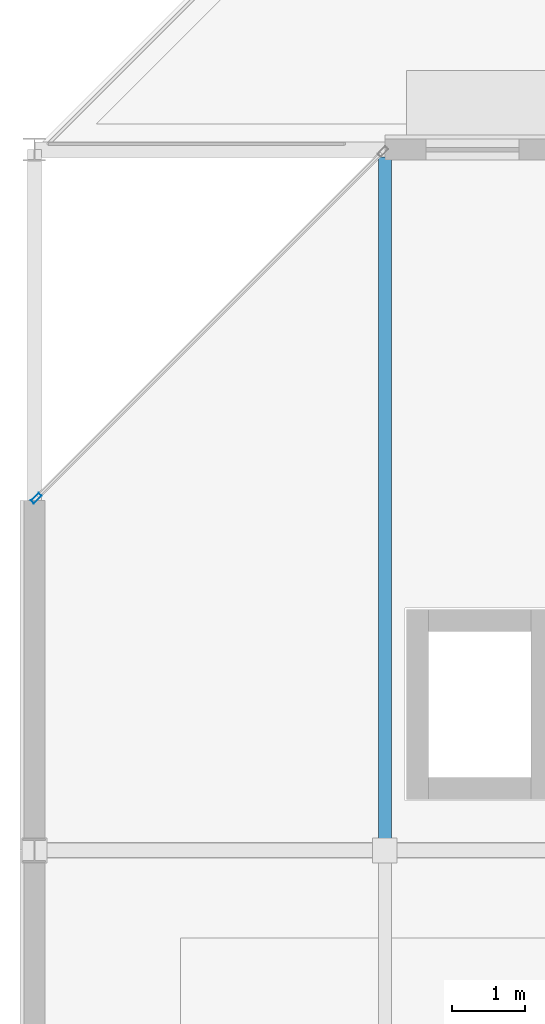
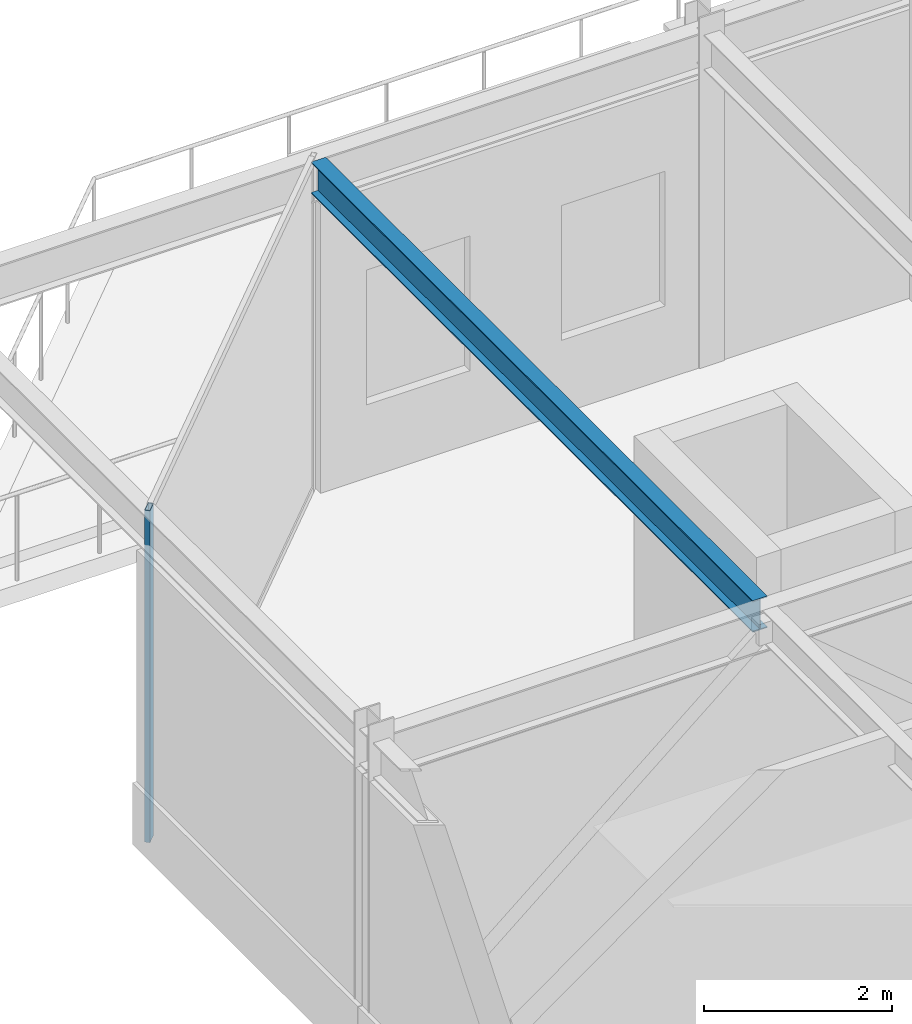
# One storey, part 13 of 50: 1 beam, 1 member, 1 element without a shape of its own.
"""IFC4 building model written with IfcOpenShell, lengths in metres."""

from ifc_helpers import new_model, si_unit, direction, frame, origin, origin_2d, place, context, subcontext, project, spatial, hollow_rectangle, i_section, extrude, material, material_profile, profile_set, type_object, element, aggregate, save


model = new_model("IFC4")

# Units and contexts
model_context = context("Model", 3, precision=1e-05, world=origin(), true_north=direction((0.0, 1.0)))
body_context = subcontext(model_context, "Body", "Model", "MODEL_VIEW")
ifc_project = project(units=[si_unit("LENGTHUNIT", "METRE"), si_unit("AREAUNIT", "SQUARE_METRE"), si_unit("VOLUMEUNIT", "CUBIC_METRE"), si_unit("PLANEANGLEUNIT", "RADIAN"), si_unit("MASSUNIT", "GRAM", prefix="KILO")], contexts=[model_context])

# Site, building, storey
site_placement = place(None, origin())
site = spatial("IfcSite", under=ifc_project, at=site_placement, CompositionType="ELEMENT")
building_placement = place(site_placement, origin())
building = spatial("IfcBuilding", under=site, at=building_placement, Name="Almandine Court Research Institute", CompositionType="ELEMENT")
storey_placement = place(building_placement, frame((0.0, 0.0, 23.449951171875)))
storey = spatial("IfcBuildingStorey", under=building, at=storey_placement, Name="L05", CompositionType="ELEMENT", Elevation=23.449951171875)

# Beam
ifc_material_1 = material(Name="Steel ASTM A992 Grade 50", Category="steel")
ifc_material_profile_1 = material_profile(ifc_material_1, i_section(OverallWidth=0.178955078125, OverallDepth=0.409912109375, WebThickness=0.009033203125, FlangeThickness=0.013916015625, at=origin_2d()), Name="W410x67")
ifc_profile_set_1 = profile_set([ifc_material_profile_1], Name="Steel ASTM A992 Grade 50")
beam_type = type_object("IfcBeamType", Name="Beam-B-02", PredefinedType="JOIST", material=ifc_profile_set_1)
beam_placement = place(storey_placement, frame((10.800048828125, 103.302978515625, 4.10302734375), z_axis=(0.0, 1.0, 0.0), x_axis=(-1.0, 0.0, 0.0)))
element("IfcBeam", 1, at=beam_placement, inside=storey, type_object=beam_type, Name="L05 V3 Composite Secondary Beam", PredefinedType="JOIST", context=body_context, shape_type="SweptSolid", body=[
    extrude(i_section(OverallWidth=0.178955078125, OverallDepth=0.409912109375, WebThickness=0.009033203125, FlangeThickness=0.013916015625, at=origin_2d()), origin(), (0.0, 0.0, 1.0), 9.39404296875),
])

# Curtain wall, member
ifc_material_2 = material(Name="Unitised Curtain Wall Framing and Solar Glazing", Category="glass")
curtain_wall_type = type_object("IfcCurtainWallType", Name="CW-CWG-10", PredefinedType="USERDEFINED", material=ifc_material_2)
curtain_wall_placement = place(storey_placement, origin())
curtain_wall = element("IfcCurtainWall", 2, at=curtain_wall_placement, inside=storey, type_object=curtain_wall_type, Name="L05 Cleanroom NW Chamfer Glazing", ObjectType="UNITISED GLAZING", PredefinedType="USERDEFINED")
ifc_material_3 = material(Name="Anodised Aluminium AW-6063-T6", Category="aluminium")
ifc_material_profile_2 = material_profile(ifc_material_3, hollow_rectangle(XDim=0.06005859375, YDim=0.14990234375, WallThickness=0.00390625, at=origin_2d()), Name="ALU RHS 60x150x4")
ifc_profile_set_2 = profile_set([ifc_material_profile_2], Name="Anodised Aluminium AW-6063-T6")
member_type = type_object("IfcMemberType", Name="CWMul-60x150", PredefinedType="MULLION", material=ifc_profile_set_2)
member_placement = place(storey_placement, frame((6.025146484375, 108.025146484375, 0.0), z_axis=(0.0, 0.0, 1.0), x_axis=(-0.707106781187, 0.707106781187, 0.0)))
member = element("IfcMember", 3, at=member_placement, type_object=member_type, Name="CWG-10 mullion 1", PredefinedType="MULLION", context=body_context, shape_type="SweptSolid", body=[
    extrude(hollow_rectangle(XDim=0.06005859375, YDim=0.14990234375, WallThickness=0.00390625, at=origin_2d()), origin(), (0.0, 0.0, 1.0), 4.31005859375),
])
aggregate(curtain_wall, [member])

save(model, "model.ifc")
